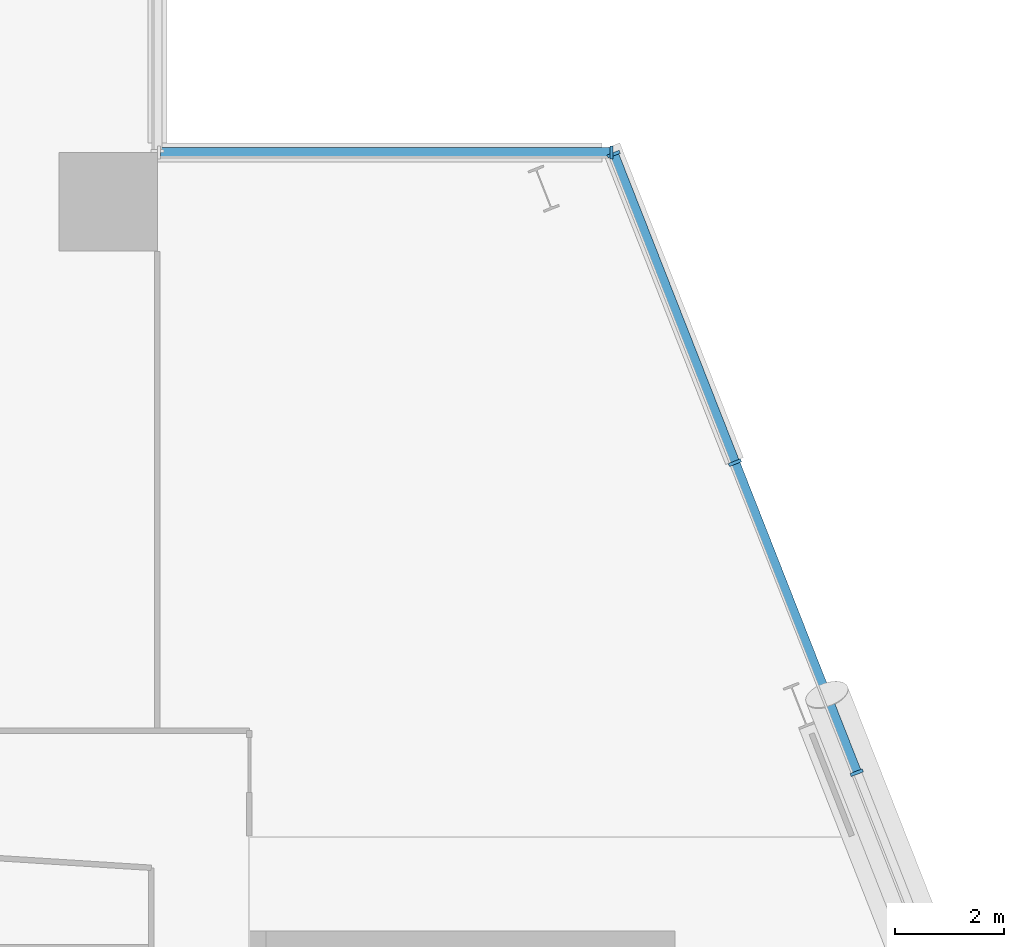
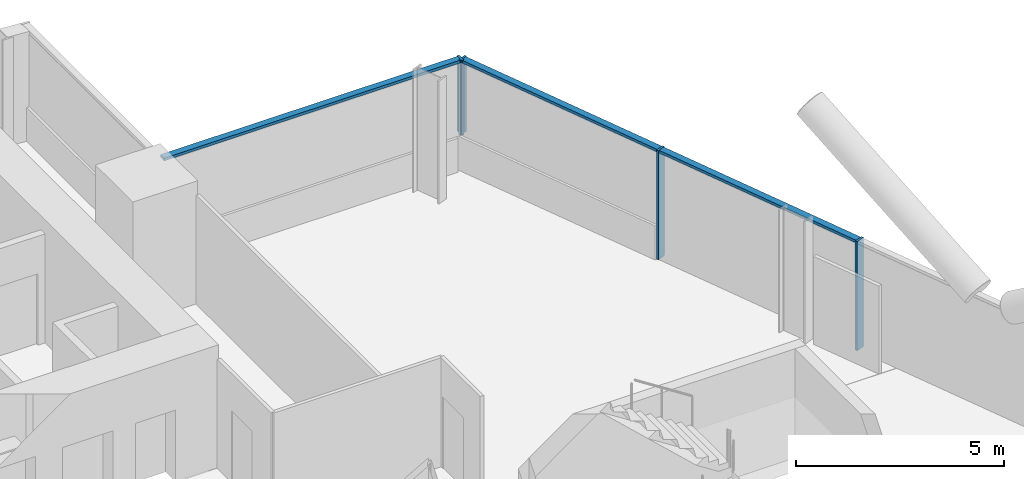
# One storey, part 11 of 27: 7 members, 2 elements without a shape of their own.
"""IFC4 building model written with IfcOpenShell, lengths in metres."""

from ifc_helpers import new_model, si_unit, direction, frame, origin, origin_2d, place, context, subcontext, project, spatial, rectangle, extrude, material, material_profile, profile_set, type_object, element, aggregate, save


model = new_model("IFC4")

# Units and contexts
model_context = context("Model", 3, precision=1e-05, world=origin(), true_north=direction((0.0, 1.0)))
body_context = subcontext(model_context, "Body", "Model", "MODEL_VIEW")
ifc_project = project(units=[si_unit("LENGTHUNIT", "METRE"), si_unit("AREAUNIT", "SQUARE_METRE"), si_unit("VOLUMEUNIT", "CUBIC_METRE"), si_unit("PLANEANGLEUNIT", "RADIAN"), si_unit("MASSUNIT", "GRAM", prefix="KILO")], contexts=[model_context])

# Site, building, storey
site_placement = place(None, origin())
site = spatial("IfcSite", under=ifc_project, at=site_placement, CompositionType="ELEMENT")
building_placement = place(site_placement, origin())
building = spatial("IfcBuilding", under=site, at=building_placement, Name="Wharfspan Tower", CompositionType="ELEMENT")
storey_placement = place(building_placement, frame((0.0, 0.0, 111.100098)))
storey = spatial("IfcBuildingStorey", under=building, at=storey_placement, Name="L25", CompositionType="ELEMENT", Elevation=111.100098)

# Curtain wall, members
ifc_material = material(Name="Aluminium 6063-T6", Category="aluminium")
curtain_wall_type = type_object("IfcCurtainWallType", Name="CURTAIN WALL PROW AND END", PredefinedType="NOTDEFINED", material=ifc_material)
curtain_wall_1_placement = place(storey_placement, origin())
curtain_wall_1 = element("IfcCurtainWall", 1, at=curtain_wall_1_placement, inside=storey, type_object=curtain_wall_type, Name="Curtain wall E", PredefinedType="NOTDEFINED")
ifc_material_profile_1 = material_profile(ifc_material, rectangle(XDim=0.23999, YDim=0.060059, at=origin_2d()))
ifc_profile_set_1 = profile_set([ifc_material_profile_1], Name="Aluminium 6063-T6")
member_type_1 = type_object("IfcMemberType", Name="MULLION PROW AND END 60x240", PredefinedType="MULLION", material=ifc_profile_set_1)
member_1_placement = place(storey_placement, frame((80.827148, 30.628662, 0.0), z_axis=(0.0, 0.0, 1.0), x_axis=(-0.930702, -0.365778, 0.0)))
member_1 = element("IfcMember", 2, at=member_1_placement, type_object=member_type_1, Name="Curtain wall E mullion 6", PredefinedType="MULLION", context=body_context, shape_type="SweptSolid", body=[
    extrude(rectangle(XDim=0.23999, YDim=0.060059, at=origin_2d()), origin(), (0.0, 0.0, 1.0), 3.199951),
])
member_2_placement = place(storey_placement, frame((78.592529, 36.314209, 0.0), z_axis=(0.0, 0.0, 1.0), x_axis=(-0.930702, -0.365778, 0.0)))
member_2 = element("IfcMember", 3, at=member_2_placement, type_object=member_type_1, Name="Curtain wall E mullion 7", PredefinedType="MULLION", context=body_context, shape_type="SweptSolid", body=[
    extrude(rectangle(XDim=0.23999, YDim=0.060059, at=origin_2d()), origin(), (0.0, 0.0, 1.0), 3.199951),
])
member_3_placement = place(storey_placement, frame((76.369141, 41.972168, 1.0), z_axis=(0.0, 0.0, 1.0), x_axis=(-0.930702, -0.365778, 0.0)))
member_3 = element("IfcMember", 4, at=member_3_placement, type_object=member_type_1, Name="Curtain wall E mullion 8", PredefinedType="MULLION", context=body_context, shape_type="SweptSolid", body=[
    extrude(rectangle(XDim=0.23999, YDim=0.060059, at=origin_2d()), origin(), (0.0, 0.0, 1.0), 2.199951),
])

# Curtain wall, member
curtain_wall_2_placement = place(storey_placement, origin())
curtain_wall_2 = element("IfcCurtainWall", 5, at=curtain_wall_2_placement, inside=storey, type_object=curtain_wall_type, Name="Curtain wall NRE-H", PredefinedType="NOTDEFINED")
member_4_placement = place(storey_placement, frame((76.328125, 42.0, 1.0), z_axis=(0.0, 0.0, 1.0), x_axis=(0.0, -1.0, 0.0)))
member_4 = element("IfcMember", 6, at=member_4_placement, type_object=member_type_1, Name="Curtain wall NRE-H mullion 1", PredefinedType="MULLION", context=body_context, shape_type="SweptSolid", body=[
    extrude(rectangle(XDim=0.23999, YDim=0.060059, at=origin_2d()), origin(), (0.0, 0.0, 1.0), 2.199951),
])

# Member
ifc_material_profile_2 = material_profile(ifc_material, rectangle(XDim=0.179932, YDim=0.080078, at=origin_2d()))
ifc_profile_set_2 = profile_set([ifc_material_profile_2], Name="Aluminium 6063-T6")
member_type_2 = type_object("IfcMemberType", Name="TRANSOM PROW AND END 80x180", PredefinedType="USERDEFINED", material=ifc_profile_set_2)
member_5_placement = place(storey_placement, frame((80.816162, 30.656494, 3.159912), z_axis=(-0.365782, 0.9307, 0.0), x_axis=(-0.9307, -0.365782, 0.0)))
member_5 = element("IfcMember", 7, at=member_5_placement, type_object=member_type_2, Name="Curtain wall E transom 6", ObjectType="TRANSOM", PredefinedType="USERDEFINED", context=body_context, shape_type="SweptSolid", body=[
    extrude(rectangle(XDim=0.179932, YDim=0.080078, at=origin_2d()), origin(), (0.0, 0.0, 1.0), 6.049072),
])

member_6_placement = place(storey_placement, frame((78.581787, 36.342285, 3.159912), z_axis=(-0.365789, 0.930698, 0.0), x_axis=(-0.930698, -0.365789, 0.0)))
member_6 = element("IfcMember", 8, at=member_6_placement, type_object=member_type_2, Name="Curtain wall E transom 7", ObjectType="TRANSOM", PredefinedType="USERDEFINED", context=body_context, shape_type="SweptSolid", body=[
    extrude(rectangle(XDim=0.179932, YDim=0.080078, at=origin_2d()), origin(), (0.0, 0.0, 1.0), 6.019043),
])

aggregate(curtain_wall_1, [member_1, member_2, member_3, member_5, member_6])

member_7_placement = place(storey_placement, frame((76.298096, 42.0, 3.159912), z_axis=(-1.0, 0.0, 0.0), x_axis=(0.0, -1.0, 0.0)))
member_7 = element("IfcMember", 9, at=member_7_placement, type_object=member_type_2, Name="Curtain wall NRE-H transom 1", ObjectType="TRANSOM", PredefinedType="USERDEFINED", context=body_context, shape_type="SweptSolid", body=[
    extrude(rectangle(XDim=0.179932, YDim=0.080078, at=origin_2d()), origin(), (0.0, 0.0, 1.0), 8.238037),
])

aggregate(curtain_wall_2, [member_4, member_7])

save(model, "model.ifc")
